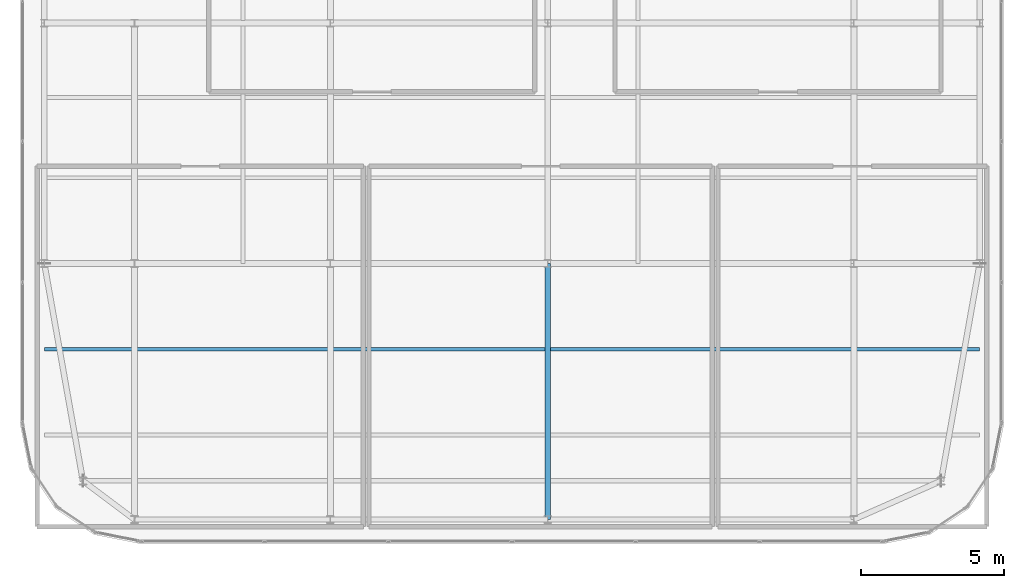
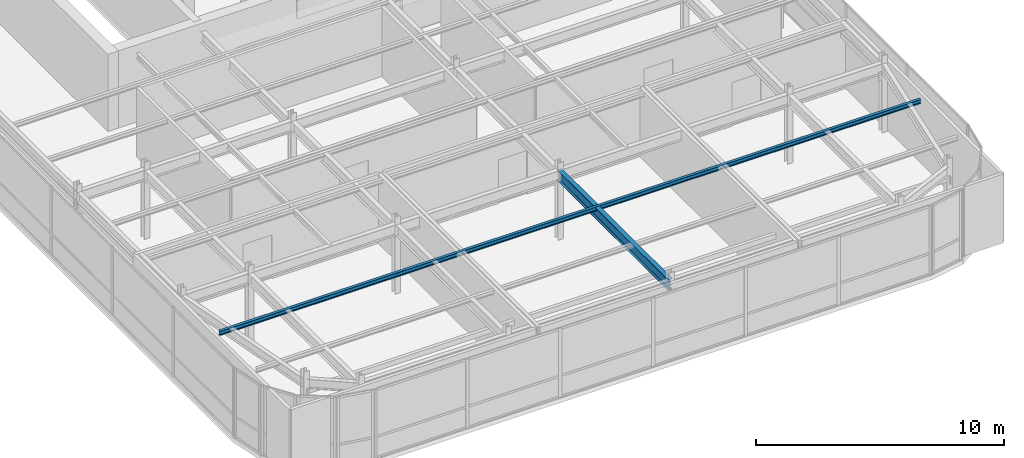
# One storey, part 13 of 35: 1 beam, 1 member.
"""IFC4 building model written with IfcOpenShell, lengths in metres."""

from ifc_helpers import new_model, si_unit, direction, frame, origin, origin_2d, place, context, subcontext, project, spatial, i_section, extrude, source, transform, mapped, material, material_profile, profile_set, type_object, type_shapes, element, save


model = new_model("IFC4")

# Units and contexts
model_context = context("Model", 3, precision=1e-05, world=origin(), true_north=direction((0.0, 1.0)))
body_context = subcontext(model_context, "Body", "Model", "MODEL_VIEW")
ifc_project = project(units=[si_unit("LENGTHUNIT", "METRE"), si_unit("AREAUNIT", "SQUARE_METRE"), si_unit("VOLUMEUNIT", "CUBIC_METRE"), si_unit("PLANEANGLEUNIT", "RADIAN"), si_unit("MASSUNIT", "GRAM", prefix="KILO")], contexts=[model_context])

# Site, building, storey
site_placement = place(None, origin())
site = spatial("IfcSite", under=ifc_project, at=site_placement, CompositionType="ELEMENT")
building_placement = place(site_placement, origin())
building = spatial("IfcBuilding", under=site, at=building_placement, Name="Tolvann Quenvar Hotel", CompositionType="ELEMENT")
storey_placement = place(building_placement, frame((0.0, 0.0, 309.949951171875)))
storey = spatial("IfcBuildingStorey", under=building, at=storey_placement, Name="L82", CompositionType="ELEMENT", Elevation=309.949951171875)

# Beam
ifc_material = material(Name="Steel Grade 350", Category="steel")
ifc_material_profile_1 = material_profile(ifc_material, i_section(OverallWidth=0.208984375, OverallDepth=0.532958984375, WebThickness=0.01025390625, FlangeThickness=0.015625, FilletRadius=0.013916015625, at=origin_2d()), Name="530UB92")
ifc_profile_set_1 = profile_set([ifc_material_profile_1], Name="Steel Grade 350")
beam_type = type_object("IfcBeamType", Name="BM_GIRD_530UB92", PredefinedType="BEAM", material=ifc_profile_set_1)
shared_shape_1 = source(origin(), body_context, "Body", "SweptSolid", [
    extrude(i_section(OverallWidth=0.208984375, OverallDepth=0.532958984375, WebThickness=0.01025390625, FlangeThickness=0.015625, FilletRadius=0.013916015625, at=origin_2d()), origin(), (0.0, 0.0, 1.0), 8.949951171875),
])
type_shapes(beam_type, [shared_shape_1])
beam_placement = place(storey_placement, frame((22.050048828125, 7.050048828125, 3.133544921875), z_axis=(0.0, 1.0, 0.0), x_axis=(-1.0, 0.0, 0.0)))
element("IfcBeam", 1, at=beam_placement, inside=storey, type_object=beam_type, Name="BM-L82-NS-E2-E4", PredefinedType="BEAM", context=body_context, shape_type="MappedRepresentation", body=[
    mapped(shared_shape_1, transform((0.0, 0.0, 0.0), x_axis=(1.0, 0.0, 0.0), y_axis=(0.0, 1.0, 0.0), z_axis=(0.0, 0.0, 1.0), scale=1.0)),
])

# Member
ifc_material_profile_2 = material_profile(ifc_material, i_section(OverallWidth=0.134033203125, OverallDepth=0.20703125, WebThickness=0.00634765625, FlangeThickness=0.009521484375, FilletRadius=0.0087890625, at=origin_2d()), Name="200UB30")
ifc_profile_set_2 = profile_set([ifc_material_profile_2], Name="Steel Grade 350")
member_type = type_object("IfcMemberType", Name="MEM_PURL_200UB", PredefinedType="PURLIN", material=ifc_profile_set_2)
shared_shape_2 = source(origin(), body_context, "Body", "SweptSolid", [
    extrude(i_section(OverallWidth=0.134033203125, OverallDepth=0.20703125, WebThickness=0.00634765625, FlangeThickness=0.009521484375, FilletRadius=0.0087890625, at=origin_2d()), origin(), (0.0, 0.0, 1.0), 32.699951171875),
])
type_shapes(member_type, [shared_shape_2])
member_placement = place(storey_placement, frame((4.449951171875, 13.0, 3.296630859375), z_axis=(1.0, 0.0, 0.0), x_axis=(0.0, 1.0, 0.0)))
element("IfcMember", 2, at=member_placement, inside=storey, type_object=member_type, Name="Lantern Roof Purlin PU-2", PredefinedType="PURLIN", context=body_context, shape_type="MappedRepresentation", body=[
    mapped(shared_shape_2, transform((0.0, 0.0, 0.0), x_axis=(1.0, 0.0, 0.0), y_axis=(0.0, 1.0, 0.0), z_axis=(0.0, 0.0, 1.0), scale=1.0)),
])

save(model, "model.ifc")
